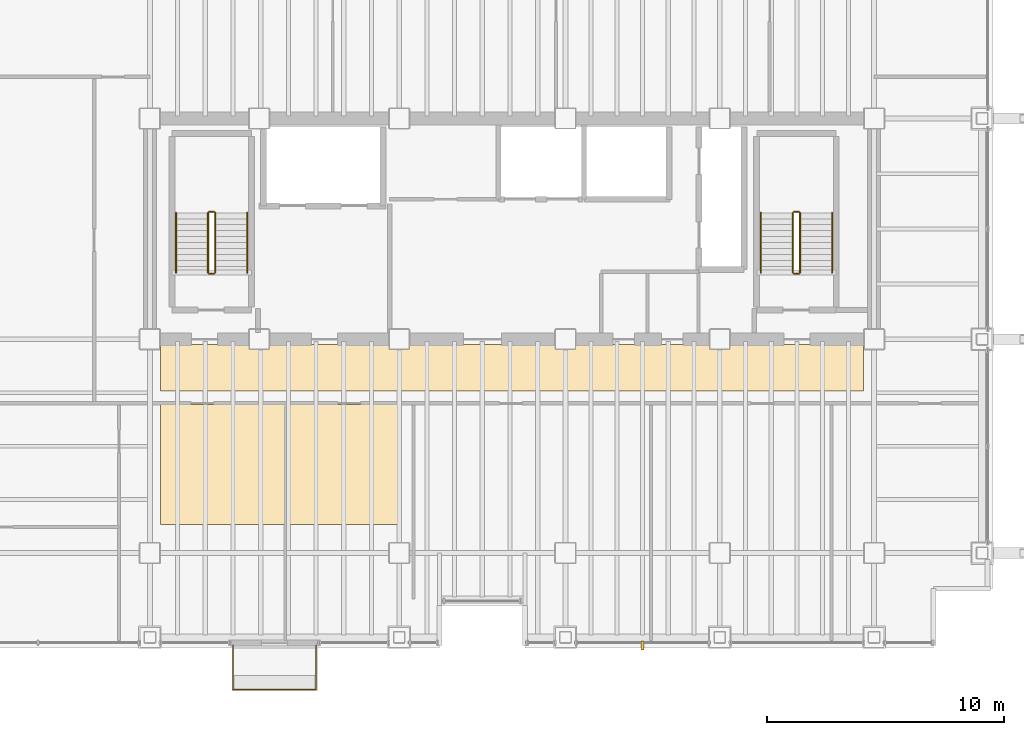
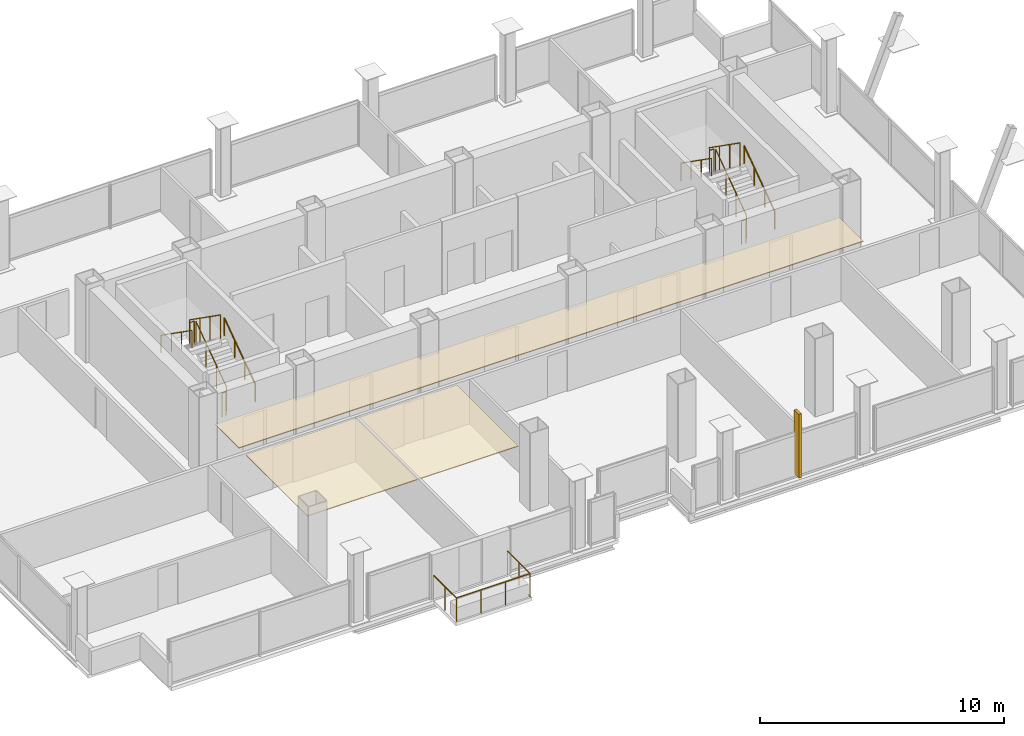
# One storey, part 19 of 19: 13 railings, 2 coverings, 1 shading device.
"""IFC4 building model written with IfcOpenShell, lengths in metres."""

from ifc_helpers import new_model, si_unit, direction, frame, origin, origin_2d, place, context, subcontext, project, spatial, polyline, rectangle, circle, outline, extrude, material, layer, layer_set, type_object, element, save


model = new_model("IFC4")

# Units and contexts
model_context = context("Model", 3, precision=1e-05, world=origin(), true_north=direction((0.0, 1.0)))
body_context = subcontext(model_context, "Body", "Model", "MODEL_VIEW")
ifc_project = project(units=[si_unit("LENGTHUNIT", "METRE"), si_unit("AREAUNIT", "SQUARE_METRE"), si_unit("VOLUMEUNIT", "CUBIC_METRE"), si_unit("PLANEANGLEUNIT", "RADIAN"), si_unit("MASSUNIT", "GRAM", prefix="KILO")], contexts=[model_context])

# Site, building, storey
site_placement = place(None, origin())
site = spatial("IfcSite", under=ifc_project, at=site_placement, CompositionType="ELEMENT")
building_placement = place(site_placement, origin())
building = spatial("IfcBuilding", under=site, at=building_placement, Name="Noeulbin Bourse Tower", CompositionType="ELEMENT")
storey_placement = place(building_placement, frame((0.0, 0.0, 165.60009765625)))
storey = spatial("IfcBuildingStorey", under=building, at=storey_placement, Name="L41", CompositionType="ELEMENT", Elevation=165.60009765625)

# Coverings
ifc_material_1 = material(Name="Perforated Mineral-Fibre Acoustic Tile")
ifc_layer_1 = layer(ifc_material_1, 0.0400390625)
ifc_layer_set_1 = layer_set([ifc_layer_1], Name="Perforated Mineral-Fibre Acoustic Tile")
covering_type = type_object("IfcCoveringType", Name="COV-CEIL-ACT", PredefinedType="CEILING", material=ifc_layer_set_1)
covering_1_placement = place(storey_placement, frame((0.0, 0.0, 2.10986328125)))
element("IfcCovering", 1, at=covering_1_placement, inside=storey, type_object=covering_type, Name="Corridor Suspended Ceiling L41", PredefinedType="CEILING", context=body_context, shape_type="SweptSolid", body=[
    extrude(outline(polyline([(13.949951171875, 26.820068359375), (43.550048828125, 26.820068359375), (43.550048828125, 28.780029296875), (13.949951171875, 28.780029296875), (13.949951171875, 26.820068359375)])), origin(), (0.0, 0.0, 1.0), 0.0400390625),
])
covering_2_placement = place(storey_placement, frame((0.0, 0.0, 2.10986328125)))
element("IfcCovering", 2, at=covering_2_placement, inside=storey, type_object=covering_type, Name="Trading Suite Acoustic Ceiling L41", PredefinedType="CEILING", context=body_context, shape_type="SweptSolid", body=[
    extrude(outline(polyline([(13.949951171875, 21.199951171875), (23.949951171875, 21.199951171875), (23.949951171875, 26.25), (13.949951171875, 26.25), (13.949951171875, 21.199951171875)])), origin(), (0.0, 0.0, 1.0), 0.0400390625),
])

# Railings
ifc_material_2 = material(Name="Laminated SentryGlas and Stainless Steel 316", Category="steel")
ifc_layer_2 = layer(ifc_material_2, 0.06005859375)
ifc_layer_set_2 = layer_set([ifc_layer_2], Name="Laminated SentryGlas and Stainless Steel 316")
railing_type_1 = type_object("IfcRailingType", Name="RLG-BAL-1200", PredefinedType="BALUSTRADE", material=ifc_layer_set_2)
railing_1_placement = place(storey_placement, frame((17.0, 16.1201171875, 0.0)))
element("IfcRailing", 3, at=railing_1_placement, inside=storey, type_object=railing_type_1, Name="Tree-Balcony Glazed Balustrade L41", PredefinedType="BALUSTRADE", context=body_context, shape_type="SweptSolid", body=[
    extrude(circle(Radius=0.02392578125, at=origin_2d()), frame((0.0, 0.0, 1.17578125), z_axis=(0.0, -1.0, 0.0), x_axis=(1.0, 0.0, 0.0)), (0.0, 0.0, 1.0), 1.8701171875),
    extrude(circle(Radius=0.02392578125, at=origin_2d()), frame((0.0, -1.8701171875, 1.17578125), z_axis=(1.0, 0.0, 0.0), x_axis=(0.0, 1.0, 0.0)), (0.0, 0.0, 1.0), 3.5),
    extrude(circle(Radius=0.02392578125, at=origin_2d()), frame((3.5, -1.8701171875, 1.17578125), z_axis=(0.0, 1.0, 0.0), x_axis=(-1.0, 0.0, 0.0)), (0.0, 0.0, 1.0), 1.8701171875),
    extrude(circle(Radius=0.02099609375, at=origin_2d()), origin(), (0.0, 0.0, 1.0), 1.15185546875),
    extrude(circle(Radius=0.02099609375, at=origin_2d()), frame((0.0, -0.93505859375, 0.0)), (0.0, 0.0, 1.0), 1.15185546875),
    extrude(circle(Radius=0.02099609375, at=origin_2d()), frame((0.0, -1.8701171875, 0.0)), (0.0, 0.0, 1.0), 1.15185546875),
    extrude(circle(Radius=0.02099609375, at=origin_2d()), frame((1.166748046875, -1.8701171875, 0.0)), (0.0, 0.0, 1.0), 1.15185546875),
    extrude(circle(Radius=0.02099609375, at=origin_2d()), frame((2.333251953125, -1.8701171875, 0.0)), (0.0, 0.0, 1.0), 1.15185546875),
    extrude(circle(Radius=0.02099609375, at=origin_2d()), frame((3.5, -1.8701171875, 0.0)), (0.0, 0.0, 1.0), 1.15185546875),
    extrude(circle(Radius=0.02099609375, at=origin_2d()), frame((3.5, -0.93505859375, 0.0)), (0.0, 0.0, 1.0), 1.15185546875),
    extrude(circle(Radius=0.02099609375, at=origin_2d()), frame((3.5, 0.0, 0.0)), (0.0, 0.0, 1.0), 1.15185546875),
])
ifc_material_3 = material(Name="Painted Tubular Steel S355", Category="steel")
ifc_layer_3 = layer(ifc_material_3, 0.048095703125)
ifc_layer_set_3 = layer_set([ifc_layer_3], Name="Painted Tubular Steel S355")
railing_type_2 = type_object("IfcRailingType", Name="RLG-STR-GRD", PredefinedType="GUARDRAIL", material=ifc_layer_set_3)
railing_2_placement = place(storey_placement, frame((16.25, 31.81005859375, 0.17724609375)))
element("IfcRailing", 4, at=railing_2_placement, inside=storey, type_object=railing_type_2, Name="L41 ST-1 stair guard 1", PredefinedType="GUARDRAIL", context=body_context, shape_type="SweptSolid", body=[
    extrude(circle(Radius=0.02392578125, at=origin_2d()), frame((0.0, 0.0, 1.17578125), z_axis=(0.0, 0.817904474719, 0.575354039036), x_axis=(-1.0, 0.0, 0.0)), (0.0, 0.0, 1.0), 3.0810546875),
    extrude(circle(Radius=0.02099609375, at=origin_2d()), origin(), (0.0, 0.0, 1.0), 1.15185546875),
    extrude(circle(Radius=0.02099609375, at=origin_2d()), frame((0.0, 0.840087890625, 0.5908203125)), (0.0, 0.0, 1.0), 1.15185546875),
    extrude(circle(Radius=0.02099609375, at=origin_2d()), frame((0.0, 1.679931640625, 1.181884765625)), (0.0, 0.0, 1.0), 1.15185546875),
    extrude(circle(Radius=0.02099609375, at=origin_2d()), frame((0.0, 2.52001953125, 1.772705078125)), (0.0, 0.0, 1.0), 1.15185546875),
])
railing_3_placement = place(storey_placement, frame((16.199951171875, 34.3798828125, 1.949951171875)))
element("IfcRailing", 5, at=railing_3_placement, inside=storey, type_object=railing_type_2, Name="L41 ST-1 stair guard 2", PredefinedType="GUARDRAIL", context=body_context, shape_type="SweptSolid", body=[
    extrude(circle(Radius=0.02392578125, at=origin_2d()), frame((0.0, 0.0, 1.17578125), z_axis=(-1.0, 0.0, 0.0), x_axis=(0.0, -1.0, 0.0)), (0.0, 0.0, 1.0), 0.199951171875),
    extrude(circle(Radius=0.02099609375, at=origin_2d()), origin(), (0.0, 0.0, 1.0), 1.15185546875),
    extrude(circle(Radius=0.02099609375, at=origin_2d()), frame((-0.199951171875, 0.0, 0.0)), (0.0, 0.0, 1.0), 1.15185546875),
])
railing_4_placement = place(storey_placement, frame((15.949951171875, 34.330078125, 2.127197265625)))
element("IfcRailing", 6, at=railing_4_placement, inside=storey, type_object=railing_type_2, Name="L41 ST-1 stair guard 3", PredefinedType="GUARDRAIL", context=body_context, shape_type="SweptSolid", body=[
    extrude(circle(Radius=0.02392578125, at=origin_2d()), frame((0.0, 0.0, 1.17578125), z_axis=(0.0, -0.817904474719, 0.575354039036), x_axis=(1.0, 0.0, 0.0)), (0.0, 0.0, 1.0), 3.0810546875),
    extrude(circle(Radius=0.02099609375, at=origin_2d()), origin(), (0.0, 0.0, 1.0), 1.15185546875),
    extrude(circle(Radius=0.02099609375, at=origin_2d()), frame((0.0, -0.840087890625, 0.5908203125)), (0.0, 0.0, 1.0), 1.15185546875),
    extrude(circle(Radius=0.02099609375, at=origin_2d()), frame((0.0, -1.679931640625, 1.181884765625)), (0.0, 0.0, 1.0), 1.15185546875),
    extrude(circle(Radius=0.02099609375, at=origin_2d()), frame((0.0, -2.52001953125, 1.772705078125)), (0.0, 0.0, 1.0), 1.15185546875),
])
railing_5_placement = place(storey_placement, frame((16.199951171875, 31.760009765625, 0.0)))
element("IfcRailing", 7, at=railing_5_placement, inside=storey, type_object=railing_type_2, Name="L41 ST-1 stair guard 4", PredefinedType="GUARDRAIL", context=body_context, shape_type="SweptSolid", body=[
    extrude(circle(Radius=0.02392578125, at=origin_2d()), frame((0.0, 0.0, 1.17578125), z_axis=(-1.0, 0.0, 0.0), x_axis=(0.0, -1.0, 0.0)), (0.0, 0.0, 1.0), 0.199951171875),
    extrude(circle(Radius=0.02099609375, at=origin_2d()), origin(), (0.0, 0.0, 1.0), 1.15185546875),
    extrude(circle(Radius=0.02099609375, at=origin_2d()), frame((-0.199951171875, 0.0, 0.0)), (0.0, 0.0, 1.0), 1.15185546875),
])
railing_6_placement = place(storey_placement, frame((40.8798828125, 31.81005859375, 0.17724609375)))
element("IfcRailing", 8, at=railing_6_placement, inside=storey, type_object=railing_type_2, Name="L41 ST-2 stair guard 1", PredefinedType="GUARDRAIL", context=body_context, shape_type="SweptSolid", body=[
    extrude(circle(Radius=0.02392578125, at=origin_2d()), frame((0.0, 0.0, 1.17578125), z_axis=(0.0, 0.817904474719, 0.575354039036), x_axis=(-1.0, 0.0, 0.0)), (0.0, 0.0, 1.0), 3.0810546875),
    extrude(circle(Radius=0.02099609375, at=origin_2d()), origin(), (0.0, 0.0, 1.0), 1.15185546875),
    extrude(circle(Radius=0.02099609375, at=origin_2d()), frame((0.0, 0.840087890625, 0.5908203125)), (0.0, 0.0, 1.0), 1.15185546875),
    extrude(circle(Radius=0.02099609375, at=origin_2d()), frame((0.0, 1.679931640625, 1.181884765625)), (0.0, 0.0, 1.0), 1.15185546875),
    extrude(circle(Radius=0.02099609375, at=origin_2d()), frame((0.0, 2.52001953125, 1.772705078125)), (0.0, 0.0, 1.0), 1.15185546875),
])
railing_7_placement = place(storey_placement, frame((40.830078125, 34.3798828125, 1.949951171875)))
element("IfcRailing", 9, at=railing_7_placement, inside=storey, type_object=railing_type_2, Name="L41 ST-2 stair guard 2", PredefinedType="GUARDRAIL", context=body_context, shape_type="SweptSolid", body=[
    extrude(circle(Radius=0.02392578125, at=origin_2d()), frame((0.0, 0.0, 1.17578125), z_axis=(-1.0, 0.0, 0.0), x_axis=(0.0, -1.0, 0.0)), (0.0, 0.0, 1.0), 0.2001953125),
    extrude(circle(Radius=0.02099609375, at=origin_2d()), origin(), (0.0, 0.0, 1.0), 1.15185546875),
    extrude(circle(Radius=0.02099609375, at=origin_2d()), frame((-0.2001953125, 0.0, 0.0)), (0.0, 0.0, 1.0), 1.15185546875),
])
railing_8_placement = place(storey_placement, frame((40.580078125, 34.330078125, 2.127197265625)))
element("IfcRailing", 10, at=railing_8_placement, inside=storey, type_object=railing_type_2, Name="L41 ST-2 stair guard 3", PredefinedType="GUARDRAIL", context=body_context, shape_type="SweptSolid", body=[
    extrude(circle(Radius=0.02392578125, at=origin_2d()), frame((0.0, 0.0, 1.17578125), z_axis=(0.0, -0.817904474719, 0.575354039036), x_axis=(1.0, 0.0, 0.0)), (0.0, 0.0, 1.0), 3.0810546875),
    extrude(circle(Radius=0.02099609375, at=origin_2d()), origin(), (0.0, 0.0, 1.0), 1.15185546875),
    extrude(circle(Radius=0.02099609375, at=origin_2d()), frame((0.0, -0.840087890625, 0.5908203125)), (0.0, 0.0, 1.0), 1.15185546875),
    extrude(circle(Radius=0.02099609375, at=origin_2d()), frame((0.0, -1.679931640625, 1.181884765625)), (0.0, 0.0, 1.0), 1.15185546875),
    extrude(circle(Radius=0.02099609375, at=origin_2d()), frame((0.0, -2.52001953125, 1.772705078125)), (0.0, 0.0, 1.0), 1.15185546875),
])
railing_9_placement = place(storey_placement, frame((40.830078125, 31.760009765625, 0.0)))
element("IfcRailing", 11, at=railing_9_placement, inside=storey, type_object=railing_type_2, Name="L41 ST-2 stair guard 4", PredefinedType="GUARDRAIL", context=body_context, shape_type="SweptSolid", body=[
    extrude(circle(Radius=0.02392578125, at=origin_2d()), frame((0.0, 0.0, 1.17578125), z_axis=(-1.0, 0.0, 0.0), x_axis=(0.0, -1.0, 0.0)), (0.0, 0.0, 1.0), 0.2001953125),
    extrude(circle(Radius=0.02099609375, at=origin_2d()), origin(), (0.0, 0.0, 1.0), 1.15185546875),
    extrude(circle(Radius=0.02099609375, at=origin_2d()), frame((-0.2001953125, 0.0, 0.0)), (0.0, 0.0, 1.0), 1.15185546875),
])
ifc_material_4 = material(Name="Brushed Stainless Steel 316", Category="steel")
ifc_layer_4 = layer(ifc_material_4, 0.048095703125)
ifc_layer_set_4 = layer_set([ifc_layer_4], Name="Brushed Stainless Steel 316")
railing_type_3 = type_object("IfcRailingType", Name="RLG-STR-HND", PredefinedType="HANDRAIL", material=ifc_layer_set_4)
railing_10_placement = place(storey_placement, frame((17.60009765625, 31.81005859375, 0.17724609375)))
element("IfcRailing", 12, at=railing_10_placement, inside=storey, type_object=railing_type_3, Name="L41 ST-1 stair handrail 1", PredefinedType="HANDRAIL", context=body_context, shape_type="SweptSolid", body=[
    extrude(circle(Radius=0.02392578125, at=origin_2d()), frame((0.0, 0.0, 0.8759765625), z_axis=(0.0, 0.817904474719, 0.575354039036), x_axis=(-1.0, 0.0, 0.0)), (0.0, 0.0, 1.0), 3.0810546875),
    extrude(circle(Radius=0.02099609375, at=origin_2d()), origin(), (0.0, 0.0, 1.0), 0.851806640625),
    extrude(circle(Radius=0.02099609375, at=origin_2d()), frame((0.0, 0.840087890625, 0.5908203125)), (0.0, 0.0, 1.0), 0.851806640625),
    extrude(circle(Radius=0.02099609375, at=origin_2d()), frame((0.0, 1.679931640625, 1.181884765625)), (0.0, 0.0, 1.0), 0.851806640625),
    extrude(circle(Radius=0.02099609375, at=origin_2d()), frame((0.0, 2.52001953125, 1.772705078125)), (0.0, 0.0, 1.0), 0.851806640625),
])
railing_11_placement = place(storey_placement, frame((14.60009765625, 34.330078125, 2.127197265625)))
element("IfcRailing", 13, at=railing_11_placement, inside=storey, type_object=railing_type_3, Name="L41 ST-1 stair handrail 2", PredefinedType="HANDRAIL", context=body_context, shape_type="SweptSolid", body=[
    extrude(circle(Radius=0.02392578125, at=origin_2d()), frame((0.0, 0.0, 0.8759765625), z_axis=(0.0, -0.817904474719, 0.575354039036), x_axis=(1.0, 0.0, 0.0)), (0.0, 0.0, 1.0), 3.0810546875),
    extrude(circle(Radius=0.02099609375, at=origin_2d()), origin(), (0.0, 0.0, 1.0), 0.851806640625),
    extrude(circle(Radius=0.02099609375, at=origin_2d()), frame((0.0, -0.840087890625, 0.5908203125)), (0.0, 0.0, 1.0), 0.851806640625),
    extrude(circle(Radius=0.02099609375, at=origin_2d()), frame((0.0, -1.679931640625, 1.181884765625)), (0.0, 0.0, 1.0), 0.851806640625),
    extrude(circle(Radius=0.02099609375, at=origin_2d()), frame((0.0, -2.52001953125, 1.772705078125)), (0.0, 0.0, 1.0), 0.851806640625),
])
railing_12_placement = place(storey_placement, frame((42.22998046875, 31.81005859375, 0.17724609375)))
element("IfcRailing", 14, at=railing_12_placement, inside=storey, type_object=railing_type_3, Name="L41 ST-2 stair handrail 1", PredefinedType="HANDRAIL", context=body_context, shape_type="SweptSolid", body=[
    extrude(circle(Radius=0.02392578125, at=origin_2d()), frame((0.0, 0.0, 0.8759765625), z_axis=(0.0, 0.817904474719, 0.575354039036), x_axis=(-1.0, 0.0, 0.0)), (0.0, 0.0, 1.0), 3.0810546875),
    extrude(circle(Radius=0.02099609375, at=origin_2d()), origin(), (0.0, 0.0, 1.0), 0.851806640625),
    extrude(circle(Radius=0.02099609375, at=origin_2d()), frame((0.0, 0.840087890625, 0.5908203125)), (0.0, 0.0, 1.0), 0.851806640625),
    extrude(circle(Radius=0.02099609375, at=origin_2d()), frame((0.0, 1.679931640625, 1.181884765625)), (0.0, 0.0, 1.0), 0.851806640625),
    extrude(circle(Radius=0.02099609375, at=origin_2d()), frame((0.0, 2.52001953125, 1.772705078125)), (0.0, 0.0, 1.0), 0.851806640625),
])
railing_13_placement = place(storey_placement, frame((39.22998046875, 34.330078125, 2.127197265625)))
element("IfcRailing", 15, at=railing_13_placement, inside=storey, type_object=railing_type_3, Name="L41 ST-2 stair handrail 2", PredefinedType="HANDRAIL", context=body_context, shape_type="SweptSolid", body=[
    extrude(circle(Radius=0.02392578125, at=origin_2d()), frame((0.0, 0.0, 0.8759765625), z_axis=(0.0, -0.817904474719, 0.575354039036), x_axis=(1.0, 0.0, 0.0)), (0.0, 0.0, 1.0), 3.0810546875),
    extrude(circle(Radius=0.02099609375, at=origin_2d()), origin(), (0.0, 0.0, 1.0), 0.851806640625),
    extrude(circle(Radius=0.02099609375, at=origin_2d()), frame((0.0, -0.840087890625, 0.5908203125)), (0.0, 0.0, 1.0), 0.851806640625),
    extrude(circle(Radius=0.02099609375, at=origin_2d()), frame((0.0, -1.679931640625, 1.181884765625)), (0.0, 0.0, 1.0), 0.851806640625),
    extrude(circle(Radius=0.02099609375, at=origin_2d()), frame((0.0, -2.52001953125, 1.772705078125)), (0.0, 0.0, 1.0), 0.851806640625),
])

# Shading device
ifc_material_5 = material(Name="Anodised Aluminium 6063-T6", Category="aluminium")
ifc_layer_5 = layer(ifc_material_5, 3.199951171875)
ifc_layer_set_5 = layer_set([ifc_layer_5], Name="Anodised Aluminium 6063-T6")
shading_device_type = type_object("IfcShadingDeviceType", Name="SHD-FIN-400", PredefinedType="USERDEFINED", material=ifc_layer_set_5)
shading_device_placement = place(storey_placement, frame((34.25, 16.10009765625, 0.14990234375), z_axis=(0.0, 0.0, 1.0), x_axis=(1.0, 0.0, 0.0)))
element("IfcShadingDevice", 16, at=shading_device_placement, inside=storey, type_object=shading_device_type, Name="Vertical Solar Fin SN-L41-2", ObjectType="SUNSHADE", PredefinedType="USERDEFINED", context=body_context, shape_type="SweptSolid", body=[
    extrude(rectangle(XDim=0.1201171875, YDim=0.3798828125, at=origin_2d()), origin(), (0.0, 0.0, 1.0), 3.199951171875),
])

save(model, "model.ifc")
